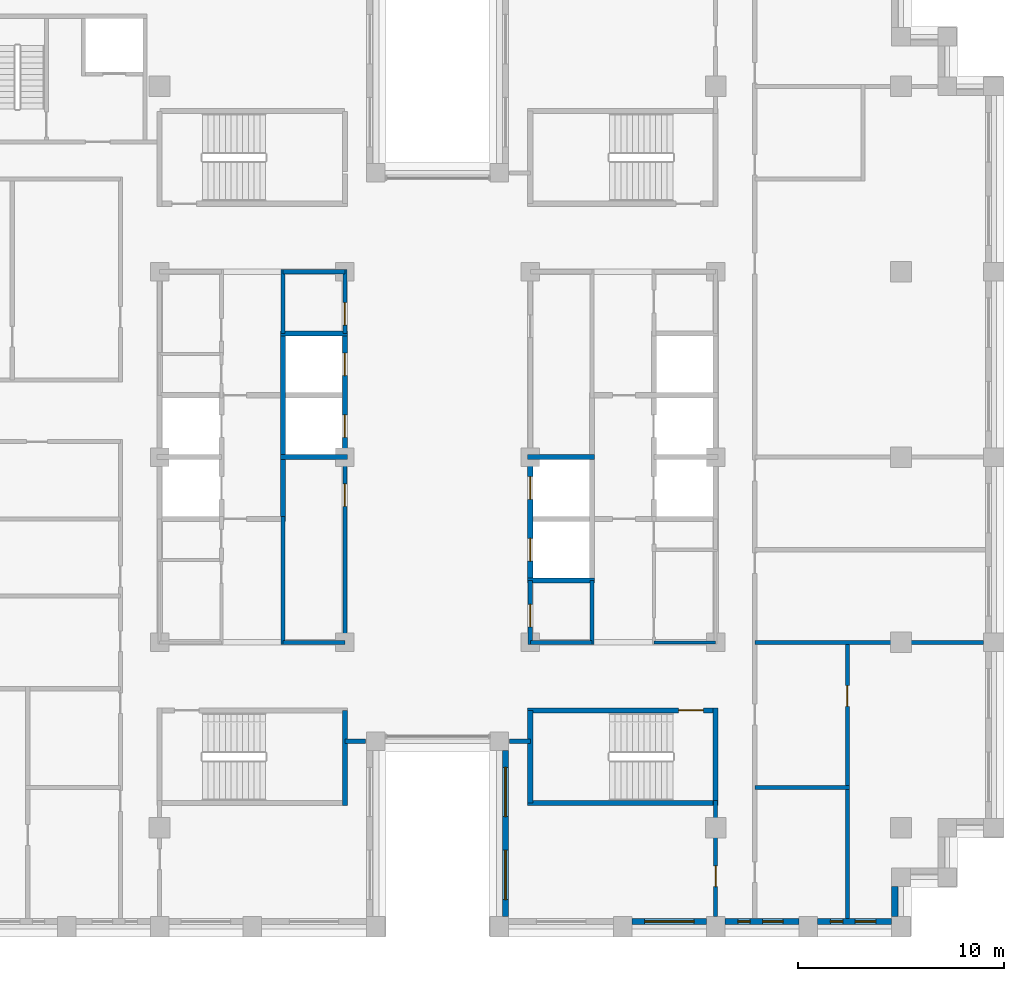
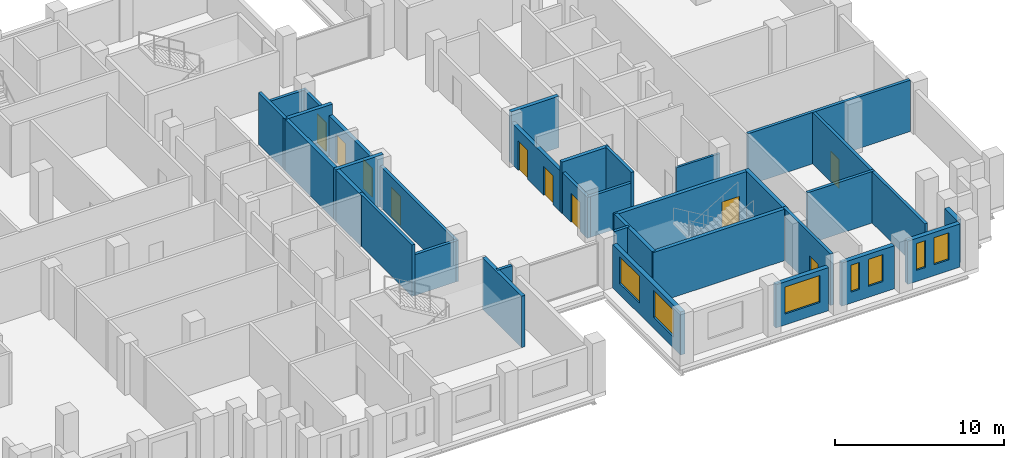
# One storey, part 8 of 15: 33 walls, 10 doors, 7 windows, 17 openings.
"""IFC4 building model written with IfcOpenShell, lengths in metres."""

from ifc_helpers import new_model, si_unit, direction, frame, frame_2d, origin, place, context, subcontext, project, spatial, rectangle, extrude, material, layer, layer_set, type_object, element, fill, save


model = new_model("IFC4")

# Units and contexts
model_context = context("Model", 3, precision=1e-05, world=origin(), true_north=direction((0.0, 1.0)))
body_context = subcontext(model_context, "Body", "Model", "MODEL_VIEW")
ifc_project = project(units=[si_unit("LENGTHUNIT", "METRE"), si_unit("AREAUNIT", "SQUARE_METRE"), si_unit("VOLUMEUNIT", "CUBIC_METRE"), si_unit("PLANEANGLEUNIT", "RADIAN"), si_unit("MASSUNIT", "GRAM", prefix="KILO")], contexts=[model_context])

# Site, building, storey
site_placement = place(None, origin())
site = spatial("IfcSite", under=ifc_project, at=site_placement, CompositionType="ELEMENT")
building_placement = place(site_placement, origin())
building = spatial("IfcBuilding", under=site, at=building_placement, Name="Corbelhall Arena Tower", CompositionType="ELEMENT")
storey_placement = place(building_placement, frame((0.0, 0.0, 208.0)))
storey = spatial("IfcBuildingStorey", under=building, at=storey_placement, Name="L43", CompositionType="ELEMENT", Elevation=208.0)

# Wall, openings, windows
ifc_material_1 = material(Name="Precast concrete C40/50 with granite facing", Category="masonry")
ifc_layer_1 = layer(ifc_material_1, 0.300048828125)
ifc_layer_set_1 = layer_set([ifc_layer_1], Name="EV-IW1 Infill panel 300")
wall_type_1 = type_object("IfcWallType", Name="EV-IW1 Infill panel 300", PredefinedType="SOLIDWALL", material=ifc_layer_set_1)
wall_1_placement = place(storey_placement, frame((3.300048828125, -14.25, 0.0), z_axis=(0.0, 0.0, 1.0), x_axis=(0.0, -1.0, 0.0)))
wall_1 = element("IfcWall", 1, at=wall_1_placement, inside=storey, type_object=wall_type_1, Name="Infill panel IW1", PredefinedType="SOLIDWALL", context=body_context, shape_type="SweptSolid", body=[
    extrude(rectangle(XDim=8.050048828125, YDim=0.300048828125, at=frame_2d((4.02490234375, 0.0))), origin(), (0.0, 0.0, 1.0), 3.1201171875),
])
opening_1_placement = place(wall_1_placement, frame((0.8125, 0.0, 0.800048828125)))
opening_1 = element("IfcOpeningElement", 2, at=opening_1_placement, cuts=wall_1, Name="Opening WN1", PredefinedType="OPENING", context=body_context, shape_type="SweptSolid", body=[
    extrude(rectangle(XDim=2.39990234375, YDim=1.949951171875, at=frame_2d((1.199951171875, 0.97509765625))), frame((0.0, 0.14990234375, 0.0), z_axis=(0.0, -1.0, 0.0), x_axis=(1.0, 0.0, 0.0)), (0.0, 0.0, 1.0), 0.300048828125),
])
opening_2_placement = place(wall_1_placement, frame((4.83740234375, 0.0, 0.800048828125)))
opening_2 = element("IfcOpeningElement", 3, at=opening_2_placement, cuts=wall_1, Name="Opening WN1", PredefinedType="OPENING", context=body_context, shape_type="SweptSolid", body=[
    extrude(rectangle(XDim=2.39990234375, YDim=1.949951171875, at=frame_2d((1.199951171875, 0.97509765625))), frame((0.0, 0.14990234375, 0.0), z_axis=(0.0, -1.0, 0.0), x_axis=(1.0, 0.0, 0.0)), (0.0, 0.0, 1.0), 0.300048828125),
])
ifc_material_2 = material(Name="Aluminium black anodised", Category="aluminium")
window_type_1 = type_object("IfcWindowType", Name="EV-WN1 Office window", PartitioningType="SINGLE_PANEL", PredefinedType="WINDOW", material=ifc_material_2)
window_1_placement = place(opening_1_placement, origin())
window_1 = element("IfcWindow", 4, at=window_1_placement, inside=storey, type_object=window_type_1, Name="Window WN1", OverallHeight=1.949951171875, OverallWidth=2.39990234375, PartitioningType="SINGLE_PANEL", PredefinedType="WINDOW", context=body_context, shape_type="SweptSolid", body=[
    extrude(rectangle(XDim=2.39990234375, YDim=1.949951171875, at=frame_2d((1.199951171875, 0.97509765625))), frame((0.0, 0.030029296875, 0.0), z_axis=(0.0, -1.0, 0.0), x_axis=(1.0, 0.0, 0.0)), (0.0, 0.0, 1.0), 0.06005859375),
])
fill(opening_1, window_1)
window_2_placement = place(opening_2_placement, origin())
window_2 = element("IfcWindow", 5, at=window_2_placement, inside=storey, type_object=window_type_1, Name="Window WN1", OverallHeight=1.949951171875, OverallWidth=2.39990234375, PartitioningType="SINGLE_PANEL", PredefinedType="WINDOW", context=body_context, shape_type="SweptSolid", body=[
    extrude(rectangle(XDim=2.39990234375, YDim=1.949951171875, at=frame_2d((1.199951171875, 0.97509765625))), frame((0.0, 0.030029296875, 0.0), z_axis=(0.0, -1.0, 0.0), x_axis=(1.0, 0.0, 0.0)), (0.0, 0.0, 1.0), 0.06005859375),
])
fill(opening_2, window_2)

# Wall, opening, window
wall_2_placement = place(storey_placement, frame((9.449951171875, -22.550048828125, 0.0), z_axis=(0.0, 0.0, 1.0), x_axis=(1.0, 0.0, 0.0)))
wall_2 = element("IfcWall", 6, at=wall_2_placement, inside=storey, type_object=wall_type_1, Name="Infill panel IW1", PredefinedType="SOLIDWALL", context=body_context, shape_type="SweptSolid", body=[
    extrude(rectangle(XDim=3.60009765625, YDim=0.300048828125, at=frame_2d((1.800048828125, 0.0))), origin(), (0.0, 0.0, 1.0), 3.1201171875),
])
opening_3_placement = place(wall_2_placement, frame((0.60009765625, 0.0, 0.800048828125)))
opening_3 = element("IfcOpeningElement", 7, at=opening_3_placement, cuts=wall_2, Name="Opening WN1", PredefinedType="OPENING", context=body_context, shape_type="SweptSolid", body=[
    extrude(rectangle(XDim=2.39990234375, YDim=1.949951171875, at=frame_2d((1.199951171875, 0.97509765625))), frame((0.0, 0.14990234375, 0.0), z_axis=(0.0, -1.0, 0.0), x_axis=(1.0, 0.0, 0.0)), (0.0, 0.0, 1.0), 0.300048828125),
])
window_3_placement = place(opening_3_placement, origin())
window_3 = element("IfcWindow", 8, at=window_3_placement, inside=storey, type_object=window_type_1, Name="Window WN1", OverallHeight=1.949951171875, OverallWidth=2.39990234375, PartitioningType="SINGLE_PANEL", PredefinedType="WINDOW", context=body_context, shape_type="SweptSolid", body=[
    extrude(rectangle(XDim=2.39990234375, YDim=1.949951171875, at=frame_2d((1.199951171875, 0.97509765625))), frame((0.0, 0.030029296875, 0.0), z_axis=(0.0, -1.0, 0.0), x_axis=(1.0, 0.0, 0.0)), (0.0, 0.0, 1.0), 0.06005859375),
])
fill(opening_3, window_3)

# Wall, openings, windows
wall_3_placement = place(storey_placement, frame((13.949951171875, -22.550048828125, 0.0), z_axis=(0.0, 0.0, 1.0), x_axis=(1.0, 0.0, 0.0)))
wall_3 = element("IfcWall", 9, at=wall_3_placement, inside=storey, type_object=wall_type_1, Name="Infill panel IW1", PredefinedType="SOLIDWALL", context=body_context, shape_type="SweptSolid", body=[
    extrude(rectangle(XDim=3.60009765625, YDim=0.300048828125, at=frame_2d((1.800048828125, 0.0))), origin(), (0.0, 0.0, 1.0), 3.1201171875),
])
opening_4_placement = place(wall_3_placement, frame((0.625, 0.0, 0.800048828125)))
opening_4 = element("IfcOpeningElement", 10, at=opening_4_placement, cuts=wall_3, Name="Opening WN5", PredefinedType="OPENING", context=body_context, shape_type="SweptSolid", body=[
    extrude(rectangle(XDim=0.60009765625, YDim=1.949951171875, at=frame_2d((0.300048828125, 0.97509765625))), frame((0.0, 0.14990234375, 0.0), z_axis=(0.0, -1.0, 0.0), x_axis=(1.0, 0.0, 0.0)), (0.0, 0.0, 1.0), 0.300048828125),
])
opening_5_placement = place(wall_3_placement, frame((1.824951171875, 0.0, 0.800048828125)))
opening_5 = element("IfcOpeningElement", 11, at=opening_5_placement, cuts=wall_3, Name="Opening WN6", PredefinedType="OPENING", context=body_context, shape_type="SweptSolid", body=[
    extrude(rectangle(XDim=1.0, YDim=1.949951171875, at=frame_2d((0.5, 0.97509765625))), frame((0.0, 0.14990234375, 0.0), z_axis=(0.0, -1.0, 0.0), x_axis=(1.0, 0.0, 0.0)), (0.0, 0.0, 1.0), 0.300048828125),
])
window_type_2 = type_object("IfcWindowType", Name="EV-WN5 Office window 600", PartitioningType="SINGLE_PANEL", PredefinedType="WINDOW", material=ifc_material_2)
window_4_placement = place(opening_4_placement, origin())
window_4 = element("IfcWindow", 12, at=window_4_placement, inside=storey, type_object=window_type_2, Name="Window WN5", OverallHeight=1.949951171875, OverallWidth=0.60009765625, PartitioningType="SINGLE_PANEL", PredefinedType="WINDOW", context=body_context, shape_type="SweptSolid", body=[
    extrude(rectangle(XDim=0.60009765625, YDim=1.949951171875, at=frame_2d((0.300048828125, 0.97509765625))), frame((0.0, 0.030029296875, 0.0), z_axis=(0.0, -1.0, 0.0), x_axis=(1.0, 0.0, 0.0)), (0.0, 0.0, 1.0), 0.06005859375),
])
fill(opening_4, window_4)
window_type_3 = type_object("IfcWindowType", Name="EV-WN6 Office window 1000", PartitioningType="SINGLE_PANEL", PredefinedType="WINDOW", material=ifc_material_2)
window_5_placement = place(opening_5_placement, origin())
window_5 = element("IfcWindow", 13, at=window_5_placement, inside=storey, type_object=window_type_3, Name="Window WN6", OverallHeight=1.949951171875, OverallWidth=1.0, PartitioningType="SINGLE_PANEL", PredefinedType="WINDOW", context=body_context, shape_type="SweptSolid", body=[
    extrude(rectangle(XDim=1.0, YDim=1.949951171875, at=frame_2d((0.5, 0.97509765625))), frame((0.0, 0.030029296875, 0.0), z_axis=(0.0, -1.0, 0.0), x_axis=(1.0, 0.0, 0.0)), (0.0, 0.0, 1.0), 0.06005859375),
])
fill(opening_5, window_5)

wall_4_placement = place(storey_placement, frame((18.449951171875, -22.550048828125, 0.0), z_axis=(0.0, 0.0, 1.0), x_axis=(1.0, 0.0, 0.0)))
wall_4 = element("IfcWall", 14, at=wall_4_placement, inside=storey, type_object=wall_type_1, Name="Infill panel IW1", PredefinedType="SOLIDWALL", context=body_context, shape_type="SweptSolid", body=[
    extrude(rectangle(XDim=3.60009765625, YDim=0.300048828125, at=frame_2d((1.800048828125, 0.0))), origin(), (0.0, 0.0, 1.0), 3.1201171875),
])
opening_6_placement = place(wall_4_placement, frame((0.625, 0.0, 0.800048828125)))
opening_6 = element("IfcOpeningElement", 15, at=opening_6_placement, cuts=wall_4, Name="Opening WN5", PredefinedType="OPENING", context=body_context, shape_type="SweptSolid", body=[
    extrude(rectangle(XDim=0.60009765625, YDim=1.949951171875, at=frame_2d((0.300048828125, 0.97509765625))), frame((0.0, 0.14990234375, 0.0), z_axis=(0.0, -1.0, 0.0), x_axis=(1.0, 0.0, 0.0)), (0.0, 0.0, 1.0), 0.300048828125),
])
opening_7_placement = place(wall_4_placement, frame((1.824951171875, 0.0, 0.800048828125)))
opening_7 = element("IfcOpeningElement", 16, at=opening_7_placement, cuts=wall_4, Name="Opening WN6", PredefinedType="OPENING", context=body_context, shape_type="SweptSolid", body=[
    extrude(rectangle(XDim=1.0, YDim=1.949951171875, at=frame_2d((0.5, 0.97509765625))), frame((0.0, 0.14990234375, 0.0), z_axis=(0.0, -1.0, 0.0), x_axis=(1.0, 0.0, 0.0)), (0.0, 0.0, 1.0), 0.300048828125),
])
window_6_placement = place(opening_6_placement, origin())
window_6 = element("IfcWindow", 17, at=window_6_placement, inside=storey, type_object=window_type_2, Name="Window WN5", OverallHeight=1.949951171875, OverallWidth=0.60009765625, PartitioningType="SINGLE_PANEL", PredefinedType="WINDOW", context=body_context, shape_type="SweptSolid", body=[
    extrude(rectangle(XDim=0.60009765625, YDim=1.949951171875, at=frame_2d((0.300048828125, 0.97509765625))), frame((0.0, 0.030029296875, 0.0), z_axis=(0.0, -1.0, 0.0), x_axis=(1.0, 0.0, 0.0)), (0.0, 0.0, 1.0), 0.06005859375),
])
fill(opening_6, window_6)
window_7_placement = place(opening_7_placement, origin())
window_7 = element("IfcWindow", 18, at=window_7_placement, inside=storey, type_object=window_type_3, Name="Window WN6", OverallHeight=1.949951171875, OverallWidth=1.0, PartitioningType="SINGLE_PANEL", PredefinedType="WINDOW", context=body_context, shape_type="SweptSolid", body=[
    extrude(rectangle(XDim=1.0, YDim=1.949951171875, at=frame_2d((0.5, 0.97509765625))), frame((0.0, 0.030029296875, 0.0), z_axis=(0.0, -1.0, 0.0), x_axis=(1.0, 0.0, 0.0)), (0.0, 0.0, 1.0), 0.06005859375),
])
fill(opening_7, window_7)

# Walls
wall_5_placement = place(storey_placement, frame((22.199951171875, -22.300048828125, 0.0), z_axis=(0.0, 0.0, 1.0), x_axis=(0.0, 1.0, 0.0)))
element("IfcWall", 19, at=wall_5_placement, inside=storey, type_object=wall_type_1, Name="Infill panel IW1", PredefinedType="SOLIDWALL", context=body_context, shape_type="SweptSolid", body=[
    extrude(rectangle(XDim=1.449951171875, YDim=0.300048828125, at=frame_2d((0.72509765625, 0.0))), origin(), (0.0, 0.0, 1.0), 3.1201171875),
])
ifc_material_3 = material(Name="Gypsum board on steel stud, acoustic", Category="steel")
ifc_layer_2 = layer(ifc_material_3, 0.199951171875)
ifc_layer_set_2 = layer_set([ifc_layer_2], Name="IN-W-DM200")
wall_type_2 = type_object("IfcWallType", Name="IN-W-DM200", PredefinedType="PARTITIONING", material=ifc_layer_set_2)
for number, where, z_axis, x_axis, name in (
    (20, (-3.5, -13.800048828125, 0.0), (0.0, 0.0, 1.0), (-1.0, 0.0, 0.0), "Partition 020"),
    (21, (4.5, -13.800048828125, 0.0), (0.0, 0.0, 1.0), (-1.0, 0.0, 0.0), "Partition 022"),
):
    element("IfcWall", number, at=place(storey_placement, frame(where, z_axis=z_axis, x_axis=x_axis)), inside=storey, type_object=wall_type_2, Name=name, PredefinedType="PARTITIONING", context=body_context, shape_type="SweptSolid", body=[
        extrude(rectangle(XDim=1.0, YDim=0.199951171875, at=frame_2d((0.5, 0.0))), origin(), (0.0, 0.0, 1.0), 3.719970703125),
    ])

# Wall, opening, door
wall_6_placement = place(storey_placement, frame((13.5, -22.300048828125, 0.0), z_axis=(0.0, 0.0, 1.0), x_axis=(0.0, 1.0, 0.0)))
wall_6 = element("IfcWall", 22, at=wall_6_placement, inside=storey, type_object=wall_type_2, Name="Partition 023", PredefinedType="PARTITIONING", context=body_context, shape_type="SweptSolid", body=[
    extrude(rectangle(XDim=5.625, YDim=0.199951171875, at=frame_2d((2.8125, 0.0))), origin(), (0.0, 0.0, 1.0), 3.719970703125),
])
opening_8_placement = place(wall_6_placement, frame((1.449951171875, 0.0, 0.0)))
opening_8 = element("IfcOpeningElement", 23, at=opening_8_placement, cuts=wall_6, Name="Opening 13023", PredefinedType="OPENING", context=body_context, shape_type="SweptSolid", body=[
    extrude(rectangle(XDim=1.0, YDim=2.10009765625, at=frame_2d((0.5, 1.050048828125))), frame((0.0, 0.10009765625, 0.0), z_axis=(0.0, -1.0, 0.0), x_axis=(1.0, 0.0, 0.0)), (0.0, 0.0, 1.0), 0.199951171875),
])
ifc_material_4 = material(Name="Steel door set", Category="steel")
door_type_1 = type_object("IfcDoorType", Name="IN-D-SW100", OperationType="NOTDEFINED", PredefinedType="DOOR", material=ifc_material_4)
door_1_placement = place(opening_8_placement, origin())
door_1 = element("IfcDoor", 24, at=door_1_placement, inside=storey, type_object=door_type_1, Name="Door 023", OperationType="SINGLE_SWING_RIGHT", OverallHeight=2.10009765625, OverallWidth=1.0, PredefinedType="DOOR", context=body_context, shape_type="SweptSolid", body=[
    extrude(rectangle(XDim=1.0, YDim=2.10009765625, at=frame_2d((0.5, 1.050048828125))), frame((0.0, 0.02490234375, 0.0), z_axis=(0.0, -1.0, 0.0), x_axis=(1.0, 0.0, 0.0)), (0.0, 0.0, 1.0), 0.050048828125),
])
fill(opening_8, door_1)

# Walls
wall_7_placement = place(storey_placement, frame((15.39990234375, -16.050048828125, 0.0), z_axis=(0.0, 0.0, 1.0), x_axis=(1.0, 0.0, 0.0)))
element("IfcWall", 25, at=wall_7_placement, inside=storey, type_object=wall_type_2, Name="Partition 025", PredefinedType="PARTITIONING", context=body_context, shape_type="SweptSolid", body=[
    extrude(rectangle(XDim=4.60009765625, YDim=0.199951171875, at=frame_2d((2.300048828125, 0.0))), origin(), (0.0, 0.0, 1.0), 3.719970703125),
])
wall_8_placement = place(storey_placement, frame((15.39990234375, -9.0, 0.0), z_axis=(0.0, 0.0, 1.0), x_axis=(1.0, 0.0, 0.0)))
element("IfcWall", 26, at=wall_8_placement, inside=storey, type_object=wall_type_2, Name="Partition 027", PredefinedType="PARTITIONING", context=body_context, shape_type="SweptSolid", body=[
    extrude(rectangle(XDim=11.10009765625, YDim=0.199951171875, at=frame_2d((5.550048828125, 0.0))), origin(), (0.0, 0.0, 1.0), 3.719970703125),
])

# Wall, opening, door
wall_9_placement = place(storey_placement, frame((19.89990234375, -8.89990234375, 0.0), z_axis=(0.0, 0.0, 1.0), x_axis=(0.0, -1.0, 0.0)))
wall_9 = element("IfcWall", 27, at=wall_9_placement, inside=storey, type_object=wall_type_2, Name="Partition 031", PredefinedType="PARTITIONING", context=body_context, shape_type="SweptSolid", body=[
    extrude(rectangle(XDim=13.5, YDim=0.199951171875, at=frame_2d((6.75, 0.0))), origin(), (0.0, 0.0, 1.0), 3.719970703125),
])
opening_9_placement = place(wall_9_placement, frame((2.199951171875, 0.0, 0.0)))
opening_9 = element("IfcOpeningElement", 28, at=opening_9_placement, cuts=wall_9, Name="Opening 13037", PredefinedType="OPENING", context=body_context, shape_type="SweptSolid", body=[
    extrude(rectangle(XDim=1.0, YDim=2.10009765625, at=frame_2d((0.5, 1.050048828125))), frame((0.0, 0.10009765625, 0.0), z_axis=(0.0, -1.0, 0.0), x_axis=(1.0, 0.0, 0.0)), (0.0, 0.0, 1.0), 0.199951171875),
])
door_2_placement = place(opening_9_placement, origin())
door_2 = element("IfcDoor", 29, at=door_2_placement, inside=storey, type_object=door_type_1, Name="Door 037", OperationType="SINGLE_SWING_RIGHT", OverallHeight=2.10009765625, OverallWidth=1.0, PredefinedType="DOOR", context=body_context, shape_type="SweptSolid", body=[
    extrude(rectangle(XDim=1.0, YDim=2.10009765625, at=frame_2d((0.5, 1.050048828125))), frame((0.0, 0.02490234375, 0.0), z_axis=(0.0, -1.0, 0.0), x_axis=(1.0, 0.0, 0.0)), (0.0, 0.0, 1.0), 0.050048828125),
])
fill(opening_9, door_2)

# Walls
ifc_material_5 = material(Name="Concrete block wall", Category="concrete")
ifc_layer_3 = layer(ifc_material_5, 0.199951171875)
ifc_layer_set_3 = layer_set([ifc_layer_3], Name="IN-W-RS200")
wall_type_3 = type_object("IfcWallType", Name="IN-W-RS200", PredefinedType="SOLIDWALL", material=ifc_layer_set_3)
wall_10_placement = place(storey_placement, frame((-7.5, -9.10009765625, 0.0), z_axis=(0.0, 0.0, 1.0), x_axis=(0.0, 1.0, 0.0)))
element("IfcWall", 30, at=wall_10_placement, inside=storey, type_object=wall_type_3, Name="Partition 039", PredefinedType="SOLIDWALL", context=body_context, shape_type="SweptSolid", body=[
    extrude(rectangle(XDim=6.22509765625, YDim=0.199951171875, at=frame_2d((3.112548828125, 0.0))), origin(), (0.0, 0.0, 1.0), 3.719970703125),
])
for number, where, z_axis, x_axis, name in (
    (31, (-7.5, 6.0, 0.0), (0.0, 0.0, 1.0), (0.0, 1.0, 0.0), "Partition 040"),
    (32, (7.5, -6.0, 0.0), (0.0, 0.0, 1.0), (0.0, -1.0, 0.0), "Partition 049"),
):
    element("IfcWall", number, at=place(storey_placement, frame(where, z_axis=z_axis, x_axis=x_axis)), inside=storey, type_object=wall_type_3, Name=name, PredefinedType="SOLIDWALL", context=body_context, shape_type="SweptSolid", body=[
        extrude(rectangle(XDim=3.10009765625, YDim=0.199951171875, at=frame_2d((1.550048828125, 0.0))), origin(), (0.0, 0.0, 1.0), 3.719970703125),
    ])
ifc_layer_4 = layer(ifc_material_5, 0.199951171875)
ifc_layer_set_4 = layer_set([ifc_layer_4], Name="IN-W-RS200 under beam 762 mm")
wall_type_4 = type_object("IfcWallType", Name="IN-W-RS200 under beam 762 mm", PredefinedType="SOLIDWALL", material=ifc_layer_set_4)
for number, where, z_axis, x_axis, name in (
    (33, (-7.5, 9.0, 0.0), (0.0, 0.0, 1.0), (1.0, 0.0, 0.0), "Partition 041"),
    (34, (-4.5, -9.0, 0.0), (0.0, 0.0, 1.0), (-1.0, 0.0, 0.0), "Partition 042"),
):
    element("IfcWall", number, at=place(storey_placement, frame(where, z_axis=z_axis, x_axis=x_axis)), inside=storey, type_object=wall_type_4, Name=name, PredefinedType="SOLIDWALL", context=body_context, shape_type="SweptSolid", body=[
        extrude(rectangle(XDim=3.0, YDim=0.199951171875, at=frame_2d((1.5, 0.0))), origin(), (0.0, 0.0, 1.0), 2.9580078125),
    ])

# Wall, opening, door
wall_11_placement = place(storey_placement, frame((-4.5, 0.0, 0.0), z_axis=(0.0, 0.0, 1.0), x_axis=(0.0, -1.0, 0.0)))
wall_11 = element("IfcWall", 35, at=wall_11_placement, inside=storey, type_object=wall_type_4, Name="Partition 043", PredefinedType="SOLIDWALL", context=body_context, shape_type="SweptSolid", body=[
    extrude(rectangle(XDim=9.10009765625, YDim=0.199951171875, at=frame_2d((4.550048828125, 0.0))), origin(), (0.0, 0.0, 1.0), 2.9580078125),
])
opening_10_placement = place(wall_11_placement, frame((1.300048828125, 0.0, 0.0)))
opening_10 = element("IfcOpeningElement", 36, at=opening_10_placement, cuts=wall_11, Name="Opening 13001", PredefinedType="OPENING", context=body_context, shape_type="SweptSolid", body=[
    extrude(rectangle(XDim=1.10009765625, YDim=2.10009765625, at=frame_2d((0.550048828125, 1.050048828125))), frame((0.0, 0.10009765625, 0.0), z_axis=(0.0, -1.0, 0.0), x_axis=(1.0, 0.0, 0.0)), (0.0, 0.0, 1.0), 0.199951171875),
])
door_type_2 = type_object("IfcDoorType", Name="IN-D-FD110", OperationType="NOTDEFINED", PredefinedType="DOOR", material=ifc_material_4)
door_3_placement = place(opening_10_placement, origin())
door_3 = element("IfcDoor", 37, at=door_3_placement, inside=storey, type_object=door_type_2, Name="Door 001", OperationType="SINGLE_SWING_RIGHT", OverallHeight=2.10009765625, OverallWidth=1.10009765625, PredefinedType="DOOR", context=body_context, shape_type="SweptSolid", body=[
    extrude(rectangle(XDim=1.10009765625, YDim=2.10009765625, at=frame_2d((0.550048828125, 1.050048828125))), frame((0.0, 0.02490234375, 0.0), z_axis=(0.0, -1.0, 0.0), x_axis=(1.0, 0.0, 0.0)), (0.0, 0.0, 1.0), 0.050048828125),
])
fill(opening_10, door_3)

wall_12_placement = place(storey_placement, frame((-4.5, 9.10009765625, 0.0), z_axis=(0.0, 0.0, 1.0), x_axis=(0.0, -1.0, 0.0)))
wall_12 = element("IfcWall", 38, at=wall_12_placement, inside=storey, type_object=wall_type_4, Name="Partition 044", PredefinedType="SOLIDWALL", context=body_context, shape_type="SweptSolid", body=[
    extrude(rectangle(XDim=3.10009765625, YDim=0.199951171875, at=frame_2d((1.550048828125, 0.0))), origin(), (0.0, 0.0, 1.0), 2.9580078125),
])
opening_11_placement = place(wall_12_placement, frame((1.60009765625, 0.0, 0.0)))
opening_11 = element("IfcOpeningElement", 39, at=opening_11_placement, cuts=wall_12, Name="Opening 13002", PredefinedType="OPENING", context=body_context, shape_type="SweptSolid", body=[
    extrude(rectangle(XDim=1.10009765625, YDim=2.10009765625, at=frame_2d((0.550048828125, 1.050048828125))), frame((0.0, 0.10009765625, 0.0), z_axis=(0.0, -1.0, 0.0), x_axis=(1.0, 0.0, 0.0)), (0.0, 0.0, 1.0), 0.199951171875),
])
door_4_placement = place(opening_11_placement, origin())
door_4 = element("IfcDoor", 40, at=door_4_placement, inside=storey, type_object=door_type_2, Name="Door 002", OperationType="SINGLE_SWING_LEFT", OverallHeight=2.10009765625, OverallWidth=1.10009765625, PredefinedType="DOOR", context=body_context, shape_type="SweptSolid", body=[
    extrude(rectangle(XDim=1.10009765625, YDim=2.10009765625, at=frame_2d((0.550048828125, 1.050048828125))), frame((0.0, 0.02490234375, 0.0), z_axis=(0.0, -1.0, 0.0), x_axis=(1.0, 0.0, 0.0)), (0.0, 0.0, 1.0), 0.050048828125),
])
fill(opening_11, door_4)

wall_13_placement = place(storey_placement, frame((4.5, -9.10009765625, 0.0), z_axis=(0.0, 0.0, 1.0), x_axis=(0.0, 1.0, 0.0)))
wall_13 = element("IfcWall", 41, at=wall_13_placement, inside=storey, type_object=wall_type_4, Name="Partition 045", PredefinedType="SOLIDWALL", context=body_context, shape_type="SweptSolid", body=[
    extrude(rectangle(XDim=3.10009765625, YDim=0.199951171875, at=frame_2d((1.550048828125, 0.0))), origin(), (0.0, 0.0, 1.0), 2.9580078125),
])
opening_12_placement = place(wall_13_placement, frame((0.85009765625, 0.0, 0.0)))
opening_12 = element("IfcOpeningElement", 42, at=opening_12_placement, cuts=wall_13, Name="Opening 13008", PredefinedType="OPENING", context=body_context, shape_type="SweptSolid", body=[
    extrude(rectangle(XDim=1.10009765625, YDim=2.10009765625, at=frame_2d((0.550048828125, 1.050048828125))), frame((0.0, 0.10009765625, 0.0), z_axis=(0.0, -1.0, 0.0), x_axis=(1.0, 0.0, 0.0)), (0.0, 0.0, 1.0), 0.199951171875),
])
door_5_placement = place(opening_12_placement, origin())
door_5 = element("IfcDoor", 43, at=door_5_placement, inside=storey, type_object=door_type_2, Name="Door 008", OperationType="SINGLE_SWING_LEFT", OverallHeight=2.10009765625, OverallWidth=1.10009765625, PredefinedType="DOOR", context=body_context, shape_type="SweptSolid", body=[
    extrude(rectangle(XDim=1.10009765625, YDim=2.10009765625, at=frame_2d((0.550048828125, 1.050048828125))), frame((0.0, 0.02490234375, 0.0), z_axis=(0.0, -1.0, 0.0), x_axis=(1.0, 0.0, 0.0)), (0.0, 0.0, 1.0), 0.050048828125),
])
fill(opening_12, door_5)

# Walls
wall_14_placement = place(storey_placement, frame((7.5, -9.0, 0.0), z_axis=(0.0, 0.0, 1.0), x_axis=(-1.0, 0.0, 0.0)))
element("IfcWall", 44, at=wall_14_placement, inside=storey, type_object=wall_type_4, Name="Partition 048", PredefinedType="SOLIDWALL", context=body_context, shape_type="SweptSolid", body=[
    extrude(rectangle(XDim=3.0, YDim=0.199951171875, at=frame_2d((1.5, 0.0))), origin(), (0.0, 0.0, 1.0), 2.9580078125),
])
ifc_material_6 = material(Name="Concrete C40/50", Category="concrete")
ifc_layer_5 = layer(ifc_material_6, 0.25)
ifc_layer_set_5 = layer_set([ifc_layer_5], Name="IN-W-SH250")
wall_type_5 = type_object("IfcWallType", Name="IN-W-SH250", PredefinedType="SOLIDWALL", material=ifc_layer_set_5)
for number, where, z_axis, x_axis, name in (
    (45, (-7.625, 0.0, 0.0), (0.0, 0.0, 1.0), (1.0, 0.0, 0.0), "Shaft wall 061"),
    (46, (-7.625, 6.0, 0.0), (0.0, 0.0, 1.0), (1.0, 0.0, 0.0), "Shaft wall 062"),
):
    element("IfcWall", number, at=place(storey_placement, frame(where, z_axis=z_axis, x_axis=x_axis)), inside=storey, type_object=wall_type_5, Name=name, PredefinedType="SOLIDWALL", context=body_context, shape_type="SweptSolid", body=[
        extrude(rectangle(XDim=3.25, YDim=0.25, at=frame_2d((1.625, 0.0))), origin(), (0.0, 0.0, 1.0), 3.719970703125),
    ])
wall_15_placement = place(storey_placement, frame((-7.5, -3.125, 0.0), z_axis=(0.0, 0.0, 1.0), x_axis=(0.0, 1.0, 0.0)))
element("IfcWall", 47, at=wall_15_placement, inside=storey, type_object=wall_type_5, Name="Shaft wall 063", PredefinedType="SOLIDWALL", context=body_context, shape_type="SweptSolid", body=[
    extrude(rectangle(XDim=9.125, YDim=0.25, at=frame_2d((4.5625, 0.0))), origin(), (0.0, 0.0, 1.0), 3.719970703125),
])
for number, where, z_axis, x_axis, name in (
    (48, (4.375, -6.0, 0.0), (0.0, 0.0, 1.0), (1.0, 0.0, 0.0), "Shaft wall 065"),
    (49, (4.375, 0.0, 0.0), (0.0, 0.0, 1.0), (1.0, 0.0, 0.0), "Shaft wall 067"),
):
    element("IfcWall", number, at=place(storey_placement, frame(where, z_axis=z_axis, x_axis=x_axis)), inside=storey, type_object=wall_type_5, Name=name, PredefinedType="SOLIDWALL", context=body_context, shape_type="SweptSolid", body=[
        extrude(rectangle(XDim=3.25, YDim=0.25, at=frame_2d((1.625, 0.0))), origin(), (0.0, 0.0, 1.0), 3.719970703125),
    ])

# Wall, openings, doors
ifc_layer_6 = layer(ifc_material_6, 0.25)
ifc_layer_set_6 = layer_set([ifc_layer_6], Name="IN-W-SH250 under beam 762 mm")
wall_type_6 = type_object("IfcWallType", Name="IN-W-SH250 under beam 762 mm", PredefinedType="SOLIDWALL", material=ifc_layer_set_6)
wall_16_placement = place(storey_placement, frame((-4.5, 6.0, 0.0), z_axis=(0.0, 0.0, 1.0), x_axis=(0.0, -1.0, 0.0)))
wall_16 = element("IfcWall", 50, at=wall_16_placement, inside=storey, type_object=wall_type_6, Name="Shaft wall 064", PredefinedType="SOLIDWALL", context=body_context, shape_type="SweptSolid", body=[
    extrude(rectangle(XDim=6.0, YDim=0.25, at=frame_2d((3.0, 0.0))), origin(), (0.0, 0.0, 1.0), 2.9580078125),
])
opening_13_placement = place(wall_16_placement, frame((3.949951171875, 0.0, 0.0)))
opening_13 = element("IfcOpeningElement", 51, at=opening_13_placement, cuts=wall_16, Name="Opening LD", PredefinedType="OPENING", context=body_context, shape_type="SweptSolid", body=[
    extrude(rectangle(XDim=1.10009765625, YDim=2.10009765625, at=frame_2d((0.550048828125, 1.050048828125))), frame((0.0, 0.125, 0.0), z_axis=(0.0, -1.0, 0.0), x_axis=(1.0, 0.0, 0.0)), (0.0, 0.0, 1.0), 0.25),
])
opening_14_placement = place(wall_16_placement, frame((0.949951171875, 0.0, 0.0)))
opening_14 = element("IfcOpeningElement", 52, at=opening_14_placement, cuts=wall_16, Name="Opening LD", PredefinedType="OPENING", context=body_context, shape_type="SweptSolid", body=[
    extrude(rectangle(XDim=1.10009765625, YDim=2.10009765625, at=frame_2d((0.550048828125, 1.050048828125))), frame((0.0, 0.125, 0.0), z_axis=(0.0, -1.0, 0.0), x_axis=(1.0, 0.0, 0.0)), (0.0, 0.0, 1.0), 0.25),
])
door_type_3 = type_object("IfcDoorType", Name="IN-D-LD110", OperationType="NOTDEFINED", PredefinedType="DOOR", material=ifc_material_4)
door_6_placement = place(opening_13_placement, origin())
door_6 = element("IfcDoor", 53, at=door_6_placement, inside=storey, type_object=door_type_3, Name="Landing door W4", OperationType="SLIDING_TO_LEFT", OverallHeight=2.10009765625, OverallWidth=1.10009765625, PredefinedType="DOOR", context=body_context, shape_type="SweptSolid", body=[
    extrude(rectangle(XDim=1.10009765625, YDim=2.10009765625, at=frame_2d((0.550048828125, 1.050048828125))), frame((0.0, 0.02490234375, 0.0), z_axis=(0.0, -1.0, 0.0), x_axis=(1.0, 0.0, 0.0)), (0.0, 0.0, 1.0), 0.050048828125),
])
fill(opening_13, door_6)
door_7_placement = place(opening_14_placement, origin())
door_7 = element("IfcDoor", 54, at=door_7_placement, inside=storey, type_object=door_type_3, Name="Landing door W5", OperationType="SLIDING_TO_LEFT", OverallHeight=2.10009765625, OverallWidth=1.10009765625, PredefinedType="DOOR", context=body_context, shape_type="SweptSolid", body=[
    extrude(rectangle(XDim=1.10009765625, YDim=2.10009765625, at=frame_2d((0.550048828125, 1.050048828125))), frame((0.0, 0.02490234375, 0.0), z_axis=(0.0, -1.0, 0.0), x_axis=(1.0, 0.0, 0.0)), (0.0, 0.0, 1.0), 0.050048828125),
])
fill(opening_14, door_7)

wall_17_placement = place(storey_placement, frame((4.5, -6.0, 0.0), z_axis=(0.0, 0.0, 1.0), x_axis=(0.0, 1.0, 0.0)))
wall_17 = element("IfcWall", 55, at=wall_17_placement, inside=storey, type_object=wall_type_6, Name="Shaft wall 068", PredefinedType="SOLIDWALL", context=body_context, shape_type="SweptSolid", body=[
    extrude(rectangle(XDim=6.0, YDim=0.25, at=frame_2d((3.0, 0.0))), origin(), (0.0, 0.0, 1.0), 2.9580078125),
])
opening_15_placement = place(wall_17_placement, frame((0.949951171875, 0.0, 0.0)))
opening_15 = element("IfcOpeningElement", 56, at=opening_15_placement, cuts=wall_17, Name="Opening LD", PredefinedType="OPENING", context=body_context, shape_type="SweptSolid", body=[
    extrude(rectangle(XDim=1.10009765625, YDim=2.10009765625, at=frame_2d((0.550048828125, 1.050048828125))), frame((0.0, 0.125, 0.0), z_axis=(0.0, -1.0, 0.0), x_axis=(1.0, 0.0, 0.0)), (0.0, 0.0, 1.0), 0.25),
])
opening_16_placement = place(wall_17_placement, frame((3.949951171875, 0.0, 0.0)))
opening_16 = element("IfcOpeningElement", 57, at=opening_16_placement, cuts=wall_17, Name="Opening LD", PredefinedType="OPENING", context=body_context, shape_type="SweptSolid", body=[
    extrude(rectangle(XDim=1.10009765625, YDim=2.10009765625, at=frame_2d((0.550048828125, 1.050048828125))), frame((0.0, 0.125, 0.0), z_axis=(0.0, -1.0, 0.0), x_axis=(1.0, 0.0, 0.0)), (0.0, 0.0, 1.0), 0.25),
])
door_8_placement = place(opening_15_placement, origin())
door_8 = element("IfcDoor", 58, at=door_8_placement, inside=storey, type_object=door_type_3, Name="Landing door E2", OperationType="SLIDING_TO_LEFT", OverallHeight=2.10009765625, OverallWidth=1.10009765625, PredefinedType="DOOR", context=body_context, shape_type="SweptSolid", body=[
    extrude(rectangle(XDim=1.10009765625, YDim=2.10009765625, at=frame_2d((0.550048828125, 1.050048828125))), frame((0.0, 0.02490234375, 0.0), z_axis=(0.0, -1.0, 0.0), x_axis=(1.0, 0.0, 0.0)), (0.0, 0.0, 1.0), 0.050048828125),
])
fill(opening_15, door_8)
door_9_placement = place(opening_16_placement, origin())
door_9 = element("IfcDoor", 59, at=door_9_placement, inside=storey, type_object=door_type_3, Name="Landing door E3", OperationType="SLIDING_TO_LEFT", OverallHeight=2.10009765625, OverallWidth=1.10009765625, PredefinedType="DOOR", context=body_context, shape_type="SweptSolid", body=[
    extrude(rectangle(XDim=1.10009765625, YDim=2.10009765625, at=frame_2d((0.550048828125, 1.050048828125))), frame((0.0, 0.02490234375, 0.0), z_axis=(0.0, -1.0, 0.0), x_axis=(1.0, 0.0, 0.0)), (0.0, 0.0, 1.0), 0.050048828125),
])
fill(opening_16, door_9)

# Walls
ifc_layer_7 = layer(ifc_material_6, 0.25)
ifc_layer_set_7 = layer_set([ifc_layer_7], Name="IN-W-ST250")
wall_type_7 = type_object("IfcWallType", Name="IN-W-ST250", PredefinedType="SOLIDWALL", material=ifc_layer_set_7)
wall_18_placement = place(storey_placement, frame((-4.5, -12.300048828125, 0.0), z_axis=(0.0, 0.0, 1.0), x_axis=(0.0, -1.0, 0.0)))
element("IfcWall", 60, at=wall_18_placement, inside=storey, type_object=wall_type_7, Name="Shaft wall 086", PredefinedType="SOLIDWALL", context=body_context, shape_type="SweptSolid", body=[
    extrude(rectangle(XDim=4.625, YDim=0.25, at=frame_2d((2.3125, 0.0))), origin(), (0.0, 0.0, 1.0), 3.719970703125),
])
wall_19_placement = place(storey_placement, frame((4.5, -16.800048828125, 0.0), z_axis=(0.0, 0.0, 1.0), x_axis=(0.0, 1.0, 0.0)))
element("IfcWall", 61, at=wall_19_placement, inside=storey, type_object=wall_type_7, Name="Shaft wall 092", PredefinedType="SOLIDWALL", context=body_context, shape_type="SweptSolid", body=[
    extrude(rectangle(XDim=4.5, YDim=0.25, at=frame_2d((2.25, 0.0))), origin(), (0.0, 0.0, 1.0), 3.719970703125),
])
wall_20_placement = place(storey_placement, frame((13.5, -16.925048828125, 0.0), z_axis=(0.0, 0.0, 1.0), x_axis=(0.0, 1.0, 0.0)))
element("IfcWall", 62, at=wall_20_placement, inside=storey, type_object=wall_type_7, Name="Shaft wall 094", PredefinedType="SOLIDWALL", context=body_context, shape_type="SweptSolid", body=[
    extrude(rectangle(XDim=4.75, YDim=0.25, at=frame_2d((2.375, 0.0))), origin(), (0.0, 0.0, 1.0), 3.719970703125),
])
wall_21_placement = place(storey_placement, frame((13.5, -16.800048828125, 0.0), z_axis=(0.0, 0.0, 1.0), x_axis=(-1.0, 0.0, 0.0)))
element("IfcWall", 63, at=wall_21_placement, inside=storey, type_object=wall_type_7, Name="Shaft wall 095", PredefinedType="SOLIDWALL", context=body_context, shape_type="SweptSolid", body=[
    extrude(rectangle(XDim=9.125, YDim=0.25, at=frame_2d((4.5625, 0.0))), origin(), (0.0, 0.0, 1.0), 3.719970703125),
])

# Wall, opening, door
wall_22_placement = place(storey_placement, frame((13.5, -12.300048828125, 0.0), z_axis=(0.0, 0.0, 1.0), x_axis=(-1.0, 0.0, 0.0)))
wall_22 = element("IfcWall", 64, at=wall_22_placement, inside=storey, type_object=wall_type_7, Name="Shaft wall 096", PredefinedType="SOLIDWALL", context=body_context, shape_type="SweptSolid", body=[
    extrude(rectangle(XDim=9.125, YDim=0.25, at=frame_2d((4.5625, 0.0))), origin(), (0.0, 0.0, 1.0), 3.719970703125),
])
opening_17_placement = place(wall_22_placement, frame((0.60009765625, 0.0, 0.0)))
opening_17 = element("IfcOpeningElement", 65, at=opening_17_placement, cuts=wall_22, Name="Opening 13018", PredefinedType="OPENING", context=body_context, shape_type="SweptSolid", body=[
    extrude(rectangle(XDim=1.199951171875, YDim=2.10009765625, at=frame_2d((0.60009765625, 1.050048828125))), frame((0.0, 0.125, 0.0), z_axis=(0.0, -1.0, 0.0), x_axis=(1.0, 0.0, 0.0)), (0.0, 0.0, 1.0), 0.25),
])
door_type_4 = type_object("IfcDoorType", Name="IN-D-ST120", OperationType="NOTDEFINED", PredefinedType="DOOR", material=ifc_material_4)
door_10_placement = place(opening_17_placement, origin())
door_10 = element("IfcDoor", 66, at=door_10_placement, inside=storey, type_object=door_type_4, Name="Door 018", OperationType="SINGLE_SWING_LEFT", OverallHeight=2.10009765625, OverallWidth=1.199951171875, PredefinedType="DOOR", context=body_context, shape_type="SweptSolid", body=[
    extrude(rectangle(XDim=1.199951171875, YDim=2.10009765625, at=frame_2d((0.60009765625, 1.050048828125))), frame((0.0, 0.02490234375, 0.0), z_axis=(0.0, -1.0, 0.0), x_axis=(1.0, 0.0, 0.0)), (0.0, 0.0, 1.0), 0.050048828125),
])
fill(opening_17, door_10)

# Wall
ifc_material_7 = material(Name="Gypsum board on steel stud, moisture resistant", Category="steel")
ifc_layer_8 = layer(ifc_material_7, 0.14990234375)
ifc_layer_set_8 = layer_set([ifc_layer_8], Name="IN-W-WC150 under beam 762 mm")
wall_type_8 = type_object("IfcWallType", Name="IN-W-WC150 under beam 762 mm", PredefinedType="PARTITIONING", material=ifc_layer_set_8)
wall_23_placement = place(storey_placement, frame((13.5, -9.0, 0.0), z_axis=(0.0, 0.0, 1.0), x_axis=(-1.0, 0.0, 0.0)))
element("IfcWall", 67, at=wall_23_placement, inside=storey, type_object=wall_type_8, Name="Partition 107", PredefinedType="PARTITIONING", context=body_context, shape_type="SweptSolid", body=[
    extrude(rectangle(XDim=3.0, YDim=0.14990234375, at=frame_2d((1.5, 0.0))), origin(), (0.0, 0.0, 1.0), 2.9580078125),
])

save(model, "model.ifc")
